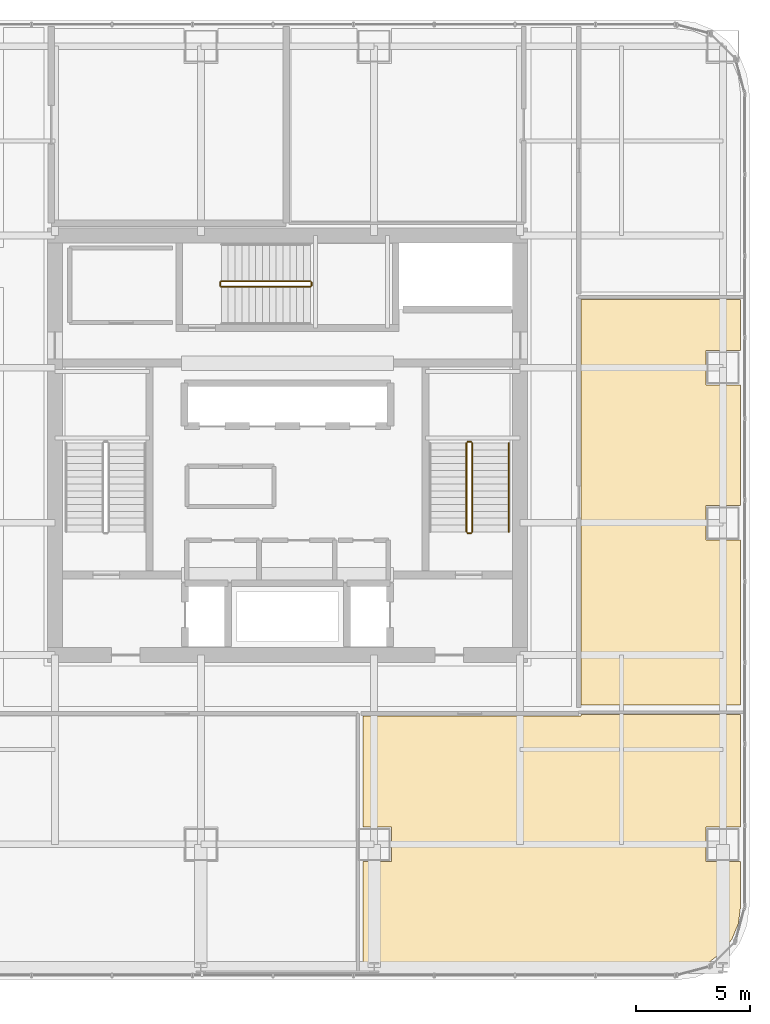
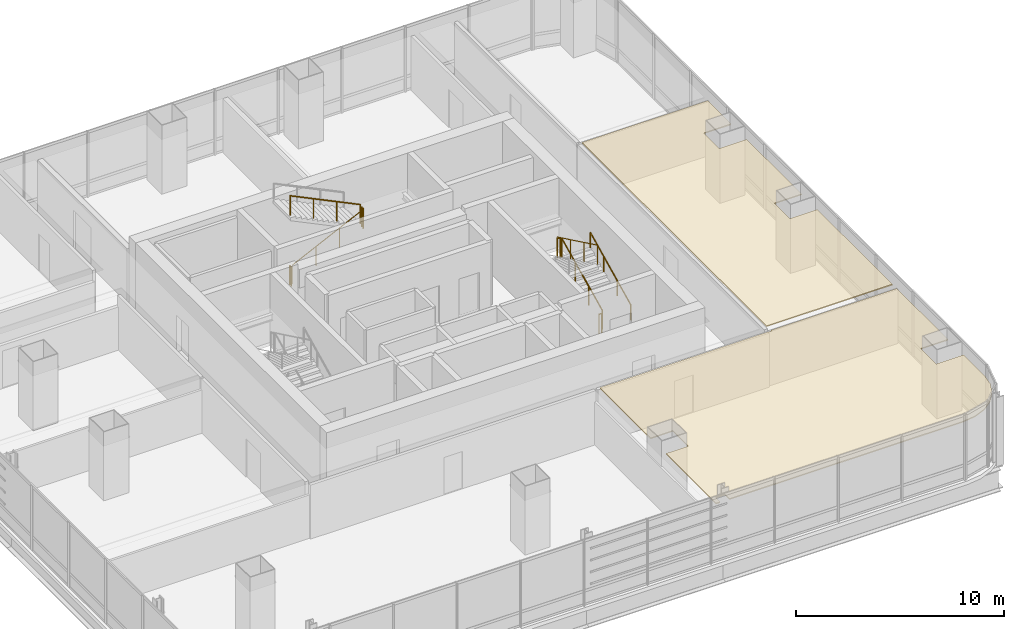
# One storey, part 35 of 36: 9 railings, 2 coverings.
"""IFC4 building model written with IfcOpenShell, lengths in metres."""

from ifc_helpers import new_model, si_unit, direction, frame, origin, origin_2d, place, context, subcontext, project, spatial, polyline, circle, outline, extrude, material, layer, layer_set, type_object, element, save


model = new_model("IFC4")

# Units and contexts
model_context = context("Model", 3, precision=1e-05, world=origin(), true_north=direction((0.0, 1.0)))
body_context = subcontext(model_context, "Body", "Model", "MODEL_VIEW")
ifc_project = project(units=[si_unit("LENGTHUNIT", "METRE"), si_unit("AREAUNIT", "SQUARE_METRE"), si_unit("VOLUMEUNIT", "CUBIC_METRE"), si_unit("PLANEANGLEUNIT", "RADIAN"), si_unit("MASSUNIT", "GRAM", prefix="KILO")], contexts=[model_context])

# Site, building, storey
site_placement = place(None, origin())
site = spatial("IfcSite", under=ifc_project, at=site_placement, CompositionType="ELEMENT")
building_placement = place(site_placement, origin())
building = spatial("IfcBuilding", under=site, at=building_placement, Name="Punatoya Terracotta Tower", CompositionType="ELEMENT")
storey_placement = place(building_placement, frame((0.0, 0.0, 176.25)))
storey = spatial("IfcBuildingStorey", under=building, at=storey_placement, Name="L41", CompositionType="ELEMENT", Elevation=176.25)

# Coverings
ifc_material_1 = material(Name="Acoustic Mineral Fibre Ceiling")
ifc_layer = layer(ifc_material_1, 0.06005859375)
ifc_layer_set = layer_set([ifc_layer], Name="Acoustic Mineral Fibre Ceiling")
covering_type = type_object("IfcCoveringType", Name="COV-CEIL-60", PredefinedType="CEILING", material=ifc_layer_set)
covering_1_placement = place(storey_placement, frame((0.0, 0.0, 3.219970703125)))
element("IfcCovering", 1, at=covering_1_placement, inside=storey, type_object=covering_type, Name="L41 Occupational Rest Lounge Acoustic Ceiling", PredefinedType="CEILING", context=body_context, shape_type="SweptSolid", body=[
    extrude(outline(polyline([(12.8701171875, -11.8701171875), (3.31591796875, -11.8701171875), (3.31591796875, -16.75), (4.550048828125, -16.75), (4.550048828125, -18.25), (3.31591796875, -18.25), (3.31591796875, -23.070068359375), (3.54541015625, -23.070068359375), (3.54541015625, -22.637451171875), (4.054443359375, -22.637451171875), (4.054443359375, -23.070068359375), (17.025146484375, -23.070068359375), (17.779052734375, -22.970703125), (18.458251953125, -22.689453125), (19.041748046875, -22.24169921875), (19.489501953125, -21.658203125), (19.770751953125, -20.97900390625), (19.8701171875, -20.22509765625), (19.8701171875, -18.25), (18.35009765625, -18.25), (18.35009765625, -16.75), (19.8701171875, -16.75), (19.8701171875, -11.81005859375), (12.8701171875, -11.81005859375), (12.8701171875, -11.8701171875)])), origin(), (0.0, 0.0, 1.0), 0.06005859375),
])
covering_2_placement = place(storey_placement, frame((0.0, 0.0, 3.219970703125)))
element("IfcCovering", 2, at=covering_2_placement, inside=storey, type_object=covering_type, Name="L41 Open-Plan Leadership Training Classroom Acoustic Ceiling", PredefinedType="CEILING", context=body_context, shape_type="SweptSolid", body=[
    extrude(outline(polyline([(12.8701171875, 6.403076171875), (12.8701171875, -11.389892578125), (19.8701171875, -11.389892578125), (19.8701171875, -4.14990234375), (18.35009765625, -4.14990234375), (18.35009765625, -2.64990234375), (19.8701171875, -2.64990234375), (19.8701171875, 2.64990234375), (18.35009765625, 2.64990234375), (18.35009765625, 4.14990234375), (19.8701171875, 4.14990234375), (19.8701171875, 6.403076171875), (12.8701171875, 6.403076171875)])), origin(), (0.0, 0.0, 1.0), 0.06005859375),
])

# Railings
ifc_material_2 = material(Name="Steel S355", Category="steel")
railing_type_1 = type_object("IfcRailingType", Name="RLG-GRD-1150", PredefinedType="GUARDRAIL", material=ifc_material_2)
railing_1_placement = place(storey_placement, frame((8.10009765625, -3.800048828125, 0.14453125)))
element("IfcRailing", 3, at=railing_1_placement, inside=storey, type_object=railing_type_1, Name="L41 ST-2 stair guard 1", PredefinedType="GUARDRAIL", context=body_context, shape_type="SweptSolid", body=[
    extrude(circle(Radius=0.02392578125, at=origin_2d()), frame((0.0, 0.0, 1.1259765625), z_axis=(0.0, 0.900773802044, 0.434288564841), x_axis=(-1.0, 0.0, 0.0)), (0.0, 0.0, 1.0), 4.329833984375),
    extrude(circle(Radius=0.02099609375, at=origin_2d()), origin(), (0.0, 0.0, 1.0), 1.101806640625),
    extrude(circle(Radius=0.02099609375, at=origin_2d()), frame((0.0, 1.300048828125, 0.626708984375)), (0.0, 0.0, 1.0), 1.101806640625),
    extrude(circle(Radius=0.02099609375, at=origin_2d()), frame((0.0, 2.60009765625, 1.253662109375)), (0.0, 0.0, 1.0), 1.101806640625),
    extrude(circle(Radius=0.02099609375, at=origin_2d()), frame((0.0, 3.900146484375, 1.88037109375)), (0.0, 0.0, 1.0), 1.101806640625),
])
railing_2_placement = place(storey_placement, frame((8.050048828125, 0.14990234375, 2.02490234375)))
element("IfcRailing", 4, at=railing_2_placement, inside=storey, type_object=railing_type_1, Name="L41 ST-2 stair guard 2", PredefinedType="GUARDRAIL", context=body_context, shape_type="SweptSolid", body=[
    extrude(circle(Radius=0.02392578125, at=origin_2d()), frame((0.0, 0.0, 1.1259765625), z_axis=(-1.0, 0.0, 0.0), x_axis=(0.0, -1.0, 0.0)), (0.0, 0.0, 1.0), 0.150146484375),
    extrude(circle(Radius=0.02099609375, at=origin_2d()), origin(), (0.0, 0.0, 1.0), 1.101806640625),
    extrude(circle(Radius=0.02099609375, at=origin_2d()), frame((-0.150146484375, 0.0, 0.0)), (0.0, 0.0, 1.0), 1.101806640625),
])
railing_3_placement = place(storey_placement, frame((7.85009765625, 0.10009765625, 2.169677734375)))
element("IfcRailing", 5, at=railing_3_placement, inside=storey, type_object=railing_type_1, Name="L41 ST-2 stair guard 3", PredefinedType="GUARDRAIL", context=body_context, shape_type="SweptSolid", body=[
    extrude(circle(Radius=0.02392578125, at=origin_2d()), frame((0.0, 0.0, 1.1259765625), z_axis=(0.0, -0.900773802044, 0.434288564841), x_axis=(1.0, 0.0, 0.0)), (0.0, 0.0, 1.0), 4.329833984375),
    extrude(circle(Radius=0.02099609375, at=origin_2d()), origin(), (0.0, 0.0, 1.0), 1.101806640625),
    extrude(circle(Radius=0.02099609375, at=origin_2d()), frame((0.0, -1.300048828125, 0.626708984375)), (0.0, 0.0, 1.0), 1.101806640625),
    extrude(circle(Radius=0.02099609375, at=origin_2d()), frame((0.0, -2.60009765625, 1.253662109375)), (0.0, 0.0, 1.0), 1.101806640625),
    extrude(circle(Radius=0.02099609375, at=origin_2d()), frame((0.0, -3.900146484375, 1.88037109375)), (0.0, 0.0, 1.0), 1.101806640625),
])
railing_4_placement = place(storey_placement, frame((8.050048828125, -3.85009765625, 0.0)))
element("IfcRailing", 6, at=railing_4_placement, inside=storey, type_object=railing_type_1, Name="L41 ST-2 stair guard 4", PredefinedType="GUARDRAIL", context=body_context, shape_type="SweptSolid", body=[
    extrude(circle(Radius=0.02392578125, at=origin_2d()), frame((0.0, 0.0, 1.1259765625), z_axis=(-1.0, 0.0, 0.0), x_axis=(0.0, -1.0, 0.0)), (0.0, 0.0, 1.0), 0.150146484375),
    extrude(circle(Radius=0.02099609375, at=origin_2d()), origin(), (0.0, 0.0, 1.0), 1.101806640625),
    extrude(circle(Radius=0.02099609375, at=origin_2d()), frame((-0.150146484375, 0.0, 0.0)), (0.0, 0.0, 1.0), 1.101806640625),
])
railing_5_placement = place(storey_placement, frame((-2.89990234375, 6.949951171875, 0.14453125)))
element("IfcRailing", 7, at=railing_5_placement, inside=storey, type_object=railing_type_1, Name="L41 ST-3 stair guard 1", PredefinedType="GUARDRAIL", context=body_context, shape_type="SweptSolid", body=[
    extrude(circle(Radius=0.02392578125, at=origin_2d()), frame((0.0, 0.0, 1.1259765625), z_axis=(0.900763166376, 0.0, 0.434310623978), x_axis=(0.0, 1.0, 0.0)), (0.0, 0.0, 1.0), 4.32958984375),
    extrude(circle(Radius=0.02099609375, at=origin_2d()), origin(), (0.0, 0.0, 1.0), 1.101806640625),
    extrude(circle(Radius=0.02099609375, at=origin_2d()), frame((1.300048828125, 0.0, 0.626708984375)), (0.0, 0.0, 1.0), 1.101806640625),
    extrude(circle(Radius=0.02099609375, at=origin_2d()), frame((2.599853515625, 0.0, 1.253662109375)), (0.0, 0.0, 1.0), 1.101806640625),
    extrude(circle(Radius=0.02099609375, at=origin_2d()), frame((3.89990234375, 0.0, 1.88037109375)), (0.0, 0.0, 1.0), 1.101806640625),
])
railing_6_placement = place(storey_placement, frame((1.050048828125, 7.0, 2.02490234375)))
element("IfcRailing", 8, at=railing_6_placement, inside=storey, type_object=railing_type_1, Name="L41 ST-3 stair guard 2", PredefinedType="GUARDRAIL", context=body_context, shape_type="SweptSolid", body=[
    extrude(circle(Radius=0.02392578125, at=origin_2d()), frame((0.0, 0.0, 1.1259765625), z_axis=(0.0, 1.0, 0.0), x_axis=(-1.0, 0.0, 0.0)), (0.0, 0.0, 1.0), 0.14990234375),
    extrude(circle(Radius=0.02099609375, at=origin_2d()), origin(), (0.0, 0.0, 1.0), 1.101806640625),
    extrude(circle(Radius=0.02099609375, at=origin_2d()), frame((0.0, 0.14990234375, 0.0)), (0.0, 0.0, 1.0), 1.101806640625),
])
railing_7_placement = place(storey_placement, frame((1.0, 7.199951171875, 2.169677734375)))
element("IfcRailing", 9, at=railing_7_placement, inside=storey, type_object=railing_type_1, Name="L41 ST-3 stair guard 3", PredefinedType="GUARDRAIL", context=body_context, shape_type="SweptSolid", body=[
    extrude(circle(Radius=0.02392578125, at=origin_2d()), frame((0.0, 0.0, 1.1259765625), z_axis=(-0.900763166376, 0.0, 0.434310623978), x_axis=(0.0, -1.0, 0.0)), (0.0, 0.0, 1.0), 4.32958984375),
    extrude(circle(Radius=0.02099609375, at=origin_2d()), origin(), (0.0, 0.0, 1.0), 1.101806640625),
    extrude(circle(Radius=0.02099609375, at=origin_2d()), frame((-1.300048828125, 0.0, 0.626708984375)), (0.0, 0.0, 1.0), 1.101806640625),
    extrude(circle(Radius=0.02099609375, at=origin_2d()), frame((-2.599853515625, 0.0, 1.253662109375)), (0.0, 0.0, 1.0), 1.101806640625),
    extrude(circle(Radius=0.02099609375, at=origin_2d()), frame((-3.89990234375, 0.0, 1.88037109375)), (0.0, 0.0, 1.0), 1.101806640625),
])
railing_8_placement = place(storey_placement, frame((-2.949951171875, 7.0, 0.0)))
element("IfcRailing", 10, at=railing_8_placement, inside=storey, type_object=railing_type_1, Name="L41 ST-3 stair guard 4", PredefinedType="GUARDRAIL", context=body_context, shape_type="SweptSolid", body=[
    extrude(circle(Radius=0.02392578125, at=origin_2d()), frame((0.0, 0.0, 1.1259765625), z_axis=(0.0, 1.0, 0.0), x_axis=(-1.0, 0.0, 0.0)), (0.0, 0.0, 1.0), 0.14990234375),
    extrude(circle(Radius=0.02099609375, at=origin_2d()), origin(), (0.0, 0.0, 1.0), 1.101806640625),
    extrude(circle(Radius=0.02099609375, at=origin_2d()), frame((0.0, 0.14990234375, 0.0)), (0.0, 0.0, 1.0), 1.101806640625),
])
railing_type_2 = type_object("IfcRailingType", Name="RLG-HND-900", PredefinedType="HANDRAIL", material=ifc_material_2)
railing_9_placement = place(storey_placement, frame((9.699951171875, -3.800048828125, 0.14453125)))
element("IfcRailing", 11, at=railing_9_placement, inside=storey, type_object=railing_type_2, Name="L41 ST-2 stair handrail 1", PredefinedType="HANDRAIL", context=body_context, shape_type="SweptSolid", body=[
    extrude(circle(Radius=0.02392578125, at=origin_2d()), frame((0.0, 0.0, 0.8759765625), z_axis=(0.0, 0.900773802044, 0.434288564841), x_axis=(-1.0, 0.0, 0.0)), (0.0, 0.0, 1.0), 4.329833984375),
    extrude(circle(Radius=0.02099609375, at=origin_2d()), origin(), (0.0, 0.0, 1.0), 0.851806640625),
    extrude(circle(Radius=0.02099609375, at=origin_2d()), frame((0.0, 1.300048828125, 0.626708984375)), (0.0, 0.0, 1.0), 0.851806640625),
    extrude(circle(Radius=0.02099609375, at=origin_2d()), frame((0.0, 2.60009765625, 1.253662109375)), (0.0, 0.0, 1.0), 0.851806640625),
    extrude(circle(Radius=0.02099609375, at=origin_2d()), frame((0.0, 3.900146484375, 1.88037109375)), (0.0, 0.0, 1.0), 0.851806640625),
])

save(model, "model.ifc")
